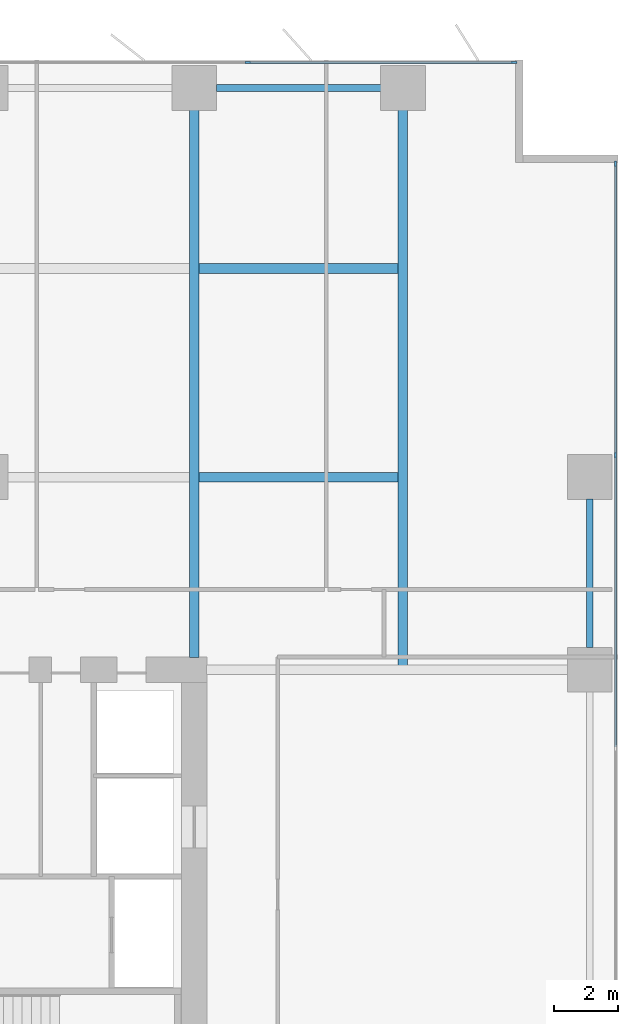
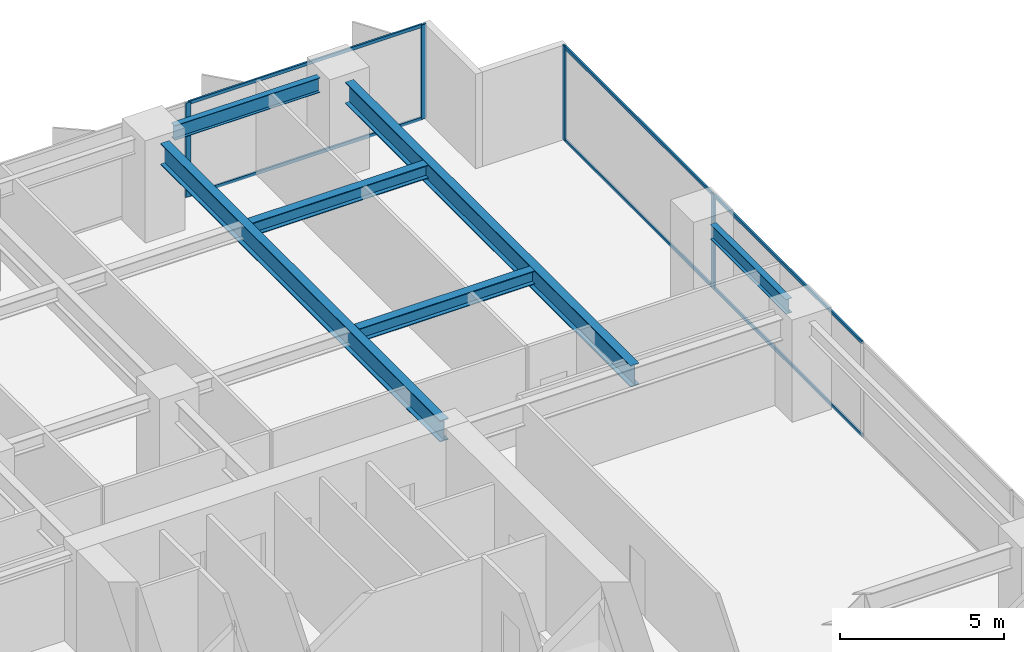
# One storey, part 11 of 20: 10 members, 6 beams, 2 elements without a shape of their own.
"""IFC4 building model written with IfcOpenShell, lengths in metres."""

from ifc_helpers import new_model, si_unit, direction, frame, origin, origin_2d, place, context, subcontext, project, spatial, rectangle, i_section, extrude, material, layer, layer_set, material_profile, profile_set, type_object, element, aggregate, save


model = new_model("IFC4")

# Units and contexts
model_context = context("Model", 3, precision=1e-05, world=origin(), true_north=direction((0.0, 1.0)))
body_context = subcontext(model_context, "Body", "Model", "MODEL_VIEW")
ifc_project = project(units=[si_unit("LENGTHUNIT", "METRE"), si_unit("AREAUNIT", "SQUARE_METRE"), si_unit("VOLUMEUNIT", "CUBIC_METRE"), si_unit("PLANEANGLEUNIT", "RADIAN"), si_unit("MASSUNIT", "GRAM", prefix="KILO")], contexts=[model_context])

# Site, building, storey
site_placement = place(None, origin())
site = spatial("IfcSite", under=ifc_project, at=site_placement, CompositionType="ELEMENT")
building_placement = place(site_placement, origin())
building = spatial("IfcBuilding", under=site, at=building_placement, Name="Putna Gate Headquarters", CompositionType="ELEMENT")
storey_placement = place(building_placement, frame((0.0, 0.0, 77.199951171875)))
storey = spatial("IfcBuildingStorey", under=building, at=storey_placement, Name="L18", CompositionType="ELEMENT", Elevation=77.199951171875)

# Beams
ifc_material_1 = material(Name="Steel S355J2", Category="steel")
ifc_material_profile_1 = material_profile(ifc_material_1, i_section(OverallWidth=0.300048828125, OverallDepth=0.800048828125, WebThickness=0.017578125, FlangeThickness=0.032958984375, at=origin_2d()), Name="Steel S355J2")
ifc_profile_set_1 = profile_set([ifc_material_profile_1], Name="Steel S355J2")
beam_type_1 = type_object("IfcBeamType", Name="BM-GIRD-P-HEB800", PredefinedType="USERDEFINED", material=ifc_profile_set_1)
beam_1_placement = place(storey_placement, frame((65.0, 33.385009765625, 3.1201171875), z_axis=(0.0, 1.0, 0.0), x_axis=(-1.0, 0.0, 0.0)))
element("IfcBeam", 1, at=beam_1_placement, inside=storey, type_object=beam_type_1, Name="L18 North Primary Girder X65", ObjectType="GIRDER", PredefinedType="USERDEFINED", context=body_context, shape_type="SweptSolid", body=[
    extrude(i_section(OverallWidth=0.300048828125, OverallDepth=0.800048828125, WebThickness=0.017578125, FlangeThickness=0.032958984375, at=origin_2d()), origin(), (0.0, 0.0, 1.0), 17.046875),
])
beam_2_placement = place(storey_placement, frame((71.5, 33.011962890625, 3.1201171875), z_axis=(0.0, 1.0, 0.0), x_axis=(-1.0, 0.0, 0.0)))
element("IfcBeam", 2, at=beam_2_placement, inside=storey, type_object=beam_type_1, Name="L18 North Primary Girder X71", ObjectType="GIRDER", PredefinedType="USERDEFINED", context=body_context, shape_type="SweptSolid", body=[
    extrude(i_section(OverallWidth=0.300048828125, OverallDepth=0.800048828125, WebThickness=0.017578125, FlangeThickness=0.032958984375, at=origin_2d()), origin(), (0.0, 0.0, 1.0), 17.419921875),
])
ifc_material_profile_2 = material_profile(ifc_material_1, i_section(OverallWidth=0.300048828125, OverallDepth=0.5, WebThickness=0.014404296875, FlangeThickness=0.028076171875, at=origin_2d()), Name="Steel S355J2")
ifc_profile_set_2 = profile_set([ifc_material_profile_2], Name="Steel S355J2")
beam_type_2 = type_object("IfcBeamType", Name="BM-GIRD-Z4-HEB500", PredefinedType="USERDEFINED", material=ifc_profile_set_2)
for number, where, z_axis, x_axis, name in (
    (3, (65.154052734375, 39.0, 3.27001953125), (1.0, 0.0, 0.0), (0.0, 1.0, 0.0), "L18 North Secondary Beam 10"),
    (4, (65.154052734375, 45.5, 3.27001953125), (1.0, 0.0, 0.0), (0.0, 1.0, 0.0), "L18 North Secondary Beam 10"),
):
    element("IfcBeam", number, at=place(storey_placement, frame(where, z_axis=z_axis, x_axis=x_axis)), inside=storey, type_object=beam_type_2, Name=name, ObjectType="GIRDER", PredefinedType="USERDEFINED", context=body_context, shape_type="SweptSolid", body=[
        extrude(i_section(OverallWidth=0.300048828125, OverallDepth=0.5, WebThickness=0.014404296875, FlangeThickness=0.028076171875, at=origin_2d()), origin(), (0.0, 0.0, 1.0), 6.19189453125),
    ])
ifc_material_profile_3 = material_profile(ifc_material_1, i_section(OverallWidth=0.2099609375, OverallDepth=0.550048828125, WebThickness=0.010986328125, FlangeThickness=0.01708984375, at=origin_2d()), Name="Steel S355J2")
ifc_profile_set_3 = profile_set([ifc_material_profile_3], Name="Steel S355J2")
beam_type_3 = type_object("IfcBeamType", Name="BM-SPAN-Z1-IPE550", PredefinedType="SPANDREL", material=ifc_profile_set_3)
beam_3_placement = place(storey_placement, frame((65.68798828125, 51.1201171875, 3.2451171875), z_axis=(1.0, 0.0, 0.0), x_axis=(0.0, 1.0, 0.0)))
element("IfcBeam", 5, at=beam_3_placement, inside=storey, type_object=beam_type_3, Name="L18 N Perimeter Spandrel 10", PredefinedType="SPANDREL", context=body_context, shape_type="SweptSolid", body=[
    extrude(i_section(OverallWidth=0.2099609375, OverallDepth=0.550048828125, WebThickness=0.010986328125, FlangeThickness=0.01708984375, at=origin_2d()), origin(), (0.0, 0.0, 1.0), 5.1240234375),
])
beam_4_placement = place(storey_placement, frame((77.320068359375, 33.68798828125, 3.2451171875), z_axis=(0.0, 1.0, 0.0), x_axis=(-1.0, 0.0, 0.0)))
element("IfcBeam", 6, at=beam_4_placement, inside=storey, type_object=beam_type_3, Name="L18 E End Spandrel 3", PredefinedType="SPANDREL", context=body_context, shape_type="SweptSolid", body=[
    extrude(i_section(OverallWidth=0.2099609375, OverallDepth=0.550048828125, WebThickness=0.010986328125, FlangeThickness=0.01708984375, at=origin_2d()), origin(), (0.0, 0.0, 1.0), 4.6240234375),
])

# Curtain wall, members
ifc_material_2 = material(Name="Anodised bronze aluminium curtain wall", Category="aluminium")
ifc_layer = layer(ifc_material_2, 0.179931640625)
ifc_layer_set = layer_set([ifc_layer], Name="Anodised bronze aluminium curtain wall")
curtain_wall_type = type_object("IfcCurtainWallType", Name="CW-SYS-Z1", PredefinedType="USERDEFINED", material=ifc_layer_set)
curtain_wall_1_placement = place(storey_placement, origin())
curtain_wall_1 = element("IfcCurtainWall", 7, at=curtain_wall_1_placement, inside=storey, type_object=curtain_wall_type, Name="L18 North East Curtain Wall", ObjectType="STICK CURTAIN WALL", PredefinedType="USERDEFINED")
ifc_material_3 = material(Name="Anodised bronze aluminium EN AW-6060", Category="aluminium")
ifc_material_profile_4 = material_profile(ifc_material_3, rectangle(XDim=0.070068359375, YDim=0.179931640625, at=origin_2d()), Name="Anodised bronze aluminium EN AW-6060")
ifc_profile_set_4 = profile_set([ifc_material_profile_4], Name="Anodised bronze aluminium EN AW-6060")
member_type_1 = type_object("IfcMemberType", Name="MULL-CWM-1", PredefinedType="MULLION", material=ifc_profile_set_4)
member_1_placement = place(storey_placement, frame((66.666748046875, 51.919921875, 0.0), z_axis=(0.0, 0.0, 1.0), x_axis=(0.0, 1.0, 0.0)))
member_1 = element("IfcMember", 8, at=member_1_placement, type_object=member_type_1, Name="CWS-1 mullion 3", PredefinedType="MULLION", context=body_context, shape_type="SweptSolid", body=[
    extrude(rectangle(XDim=0.070068359375, YDim=0.179931640625, at=origin_2d()), origin(), (0.0, 0.0, 1.0), 3.52001953125),
])
member_2_placement = place(storey_placement, frame((74.965087890625, 51.919921875, 0.0), z_axis=(0.0, 0.0, 1.0), x_axis=(0.0, 1.0, 0.0)))
member_2 = element("IfcMember", 9, at=member_2_placement, type_object=member_type_1, Name="CWS-1 mullion 4", PredefinedType="MULLION", context=body_context, shape_type="SweptSolid", body=[
    extrude(rectangle(XDim=0.070068359375, YDim=0.179931640625, at=origin_2d()), origin(), (0.0, 0.0, 1.0), 3.52001953125),
])

curtain_wall_2_placement = place(storey_placement, origin())
curtain_wall_2 = element("IfcCurtainWall", 10, at=curtain_wall_2_placement, inside=storey, type_object=curtain_wall_type, Name="L18 East Curtain Wall", ObjectType="STICK CURTAIN WALL", PredefinedType="USERDEFINED")
member_3_placement = place(storey_placement, frame((78.1201171875, 39.679931640625, 0.0), z_axis=(0.0, 0.0, 1.0), x_axis=(-1.0, 0.0, 0.0)))
member_3 = element("IfcMember", 11, at=member_3_placement, type_object=member_type_1, Name="CWS-1 mullion 5", PredefinedType="MULLION", context=body_context, shape_type="SweptSolid", body=[
    extrude(rectangle(XDim=0.070068359375, YDim=0.179931640625, at=origin_2d()), origin(), (0.0, 0.0, 1.0), 3.52001953125),
])
member_4_placement = place(storey_placement, frame((78.1201171875, 48.764892578125, 0.0), z_axis=(0.0, 0.0, 1.0), x_axis=(-1.0, 0.0, 0.0)))
member_4 = element("IfcMember", 12, at=member_4_placement, type_object=member_type_1, Name="CWS-1 mullion 6", PredefinedType="MULLION", context=body_context, shape_type="SweptSolid", body=[
    extrude(rectangle(XDim=0.070068359375, YDim=0.179931640625, at=origin_2d()), origin(), (0.0, 0.0, 1.0), 3.52001953125),
])

# Member
ifc_material_profile_5 = material_profile(ifc_material_3, rectangle(XDim=0.06494140625, YDim=0.1201171875, at=origin_2d()), Name="Anodised bronze aluminium EN AW-6060")
ifc_profile_set_5 = profile_set([ifc_material_profile_5], Name="Anodised bronze aluminium EN AW-6060")
member_type_2 = type_object("IfcMemberType", Name="TRAN-CWT-1", PredefinedType="USERDEFINED", material=ifc_profile_set_5)
member_5_placement = place(storey_placement, frame((66.70166015625, 51.919921875, 0.032470703125), z_axis=(1.0, 0.0, 0.0), x_axis=(0.0, 1.0, 0.0)))
member_5 = element("IfcMember", 13, at=member_5_placement, type_object=member_type_2, Name="CWS-1 transom 3.1", ObjectType="TRANSOM", PredefinedType="USERDEFINED", context=body_context, shape_type="SweptSolid", body=[
    extrude(rectangle(XDim=0.06494140625, YDim=0.1201171875, at=origin_2d()), origin(), (0.0, 0.0, 1.0), 8.228271484375),
])

member_6_placement = place(storey_placement, frame((66.70166015625, 51.919921875, 3.487548828125), z_axis=(1.0, 0.0, 0.0), x_axis=(0.0, 1.0, 0.0)))
member_6 = element("IfcMember", 14, at=member_6_placement, type_object=member_type_2, Name="CWS-1 transom 3.2", ObjectType="TRANSOM", PredefinedType="USERDEFINED", context=body_context, shape_type="SweptSolid", body=[
    extrude(rectangle(XDim=0.06494140625, YDim=0.1201171875, at=origin_2d()), origin(), (0.0, 0.0, 1.0), 8.228271484375),
])

aggregate(curtain_wall_1, [member_1, member_2, member_5, member_6])

member_7_placement = place(storey_placement, frame((78.1201171875, 30.594970703125, 0.032470703125), z_axis=(0.0, 1.0, 0.0), x_axis=(-1.0, 0.0, 0.0)))
member_7 = element("IfcMember", 15, at=member_7_placement, type_object=member_type_2, Name="CWS-1 transom 4.1", ObjectType="TRANSOM", PredefinedType="USERDEFINED", context=body_context, shape_type="SweptSolid", body=[
    extrude(rectangle(XDim=0.06494140625, YDim=0.1201171875, at=origin_2d()), origin(), (0.0, 0.0, 1.0), 9.050048828125),
])

member_8_placement = place(storey_placement, frame((78.1201171875, 30.594970703125, 3.487548828125), z_axis=(0.0, 1.0, 0.0), x_axis=(-1.0, 0.0, 0.0)))
member_8 = element("IfcMember", 16, at=member_8_placement, type_object=member_type_2, Name="CWS-1 transom 4.2", ObjectType="TRANSOM", PredefinedType="USERDEFINED", context=body_context, shape_type="SweptSolid", body=[
    extrude(rectangle(XDim=0.06494140625, YDim=0.1201171875, at=origin_2d()), origin(), (0.0, 0.0, 1.0), 9.050048828125),
])

member_9_placement = place(storey_placement, frame((78.1201171875, 39.715087890625, 0.032470703125), z_axis=(0.0, 1.0, 0.0), x_axis=(-1.0, 0.0, 0.0)))
member_9 = element("IfcMember", 17, at=member_9_placement, type_object=member_type_2, Name="CWS-1 transom 5.1", ObjectType="TRANSOM", PredefinedType="USERDEFINED", context=body_context, shape_type="SweptSolid", body=[
    extrude(rectangle(XDim=0.06494140625, YDim=0.1201171875, at=origin_2d()), origin(), (0.0, 0.0, 1.0), 9.014892578125),
])

member_10_placement = place(storey_placement, frame((78.1201171875, 39.715087890625, 3.487548828125), z_axis=(0.0, 1.0, 0.0), x_axis=(-1.0, 0.0, 0.0)))
member_10 = element("IfcMember", 18, at=member_10_placement, type_object=member_type_2, Name="CWS-1 transom 5.2", ObjectType="TRANSOM", PredefinedType="USERDEFINED", context=body_context, shape_type="SweptSolid", body=[
    extrude(rectangle(XDim=0.06494140625, YDim=0.1201171875, at=origin_2d()), origin(), (0.0, 0.0, 1.0), 9.014892578125),
])

aggregate(curtain_wall_2, [member_3, member_4, member_7, member_8, member_9, member_10])

save(model, "model.ifc")
